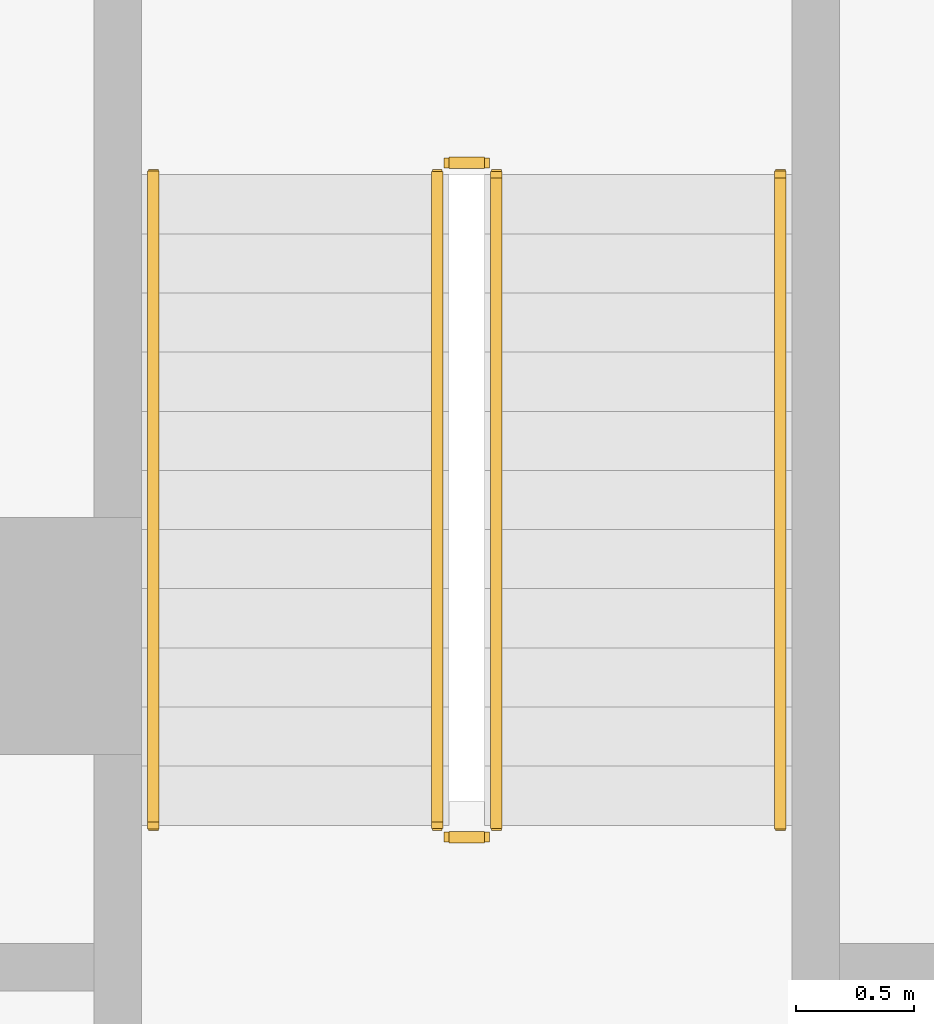
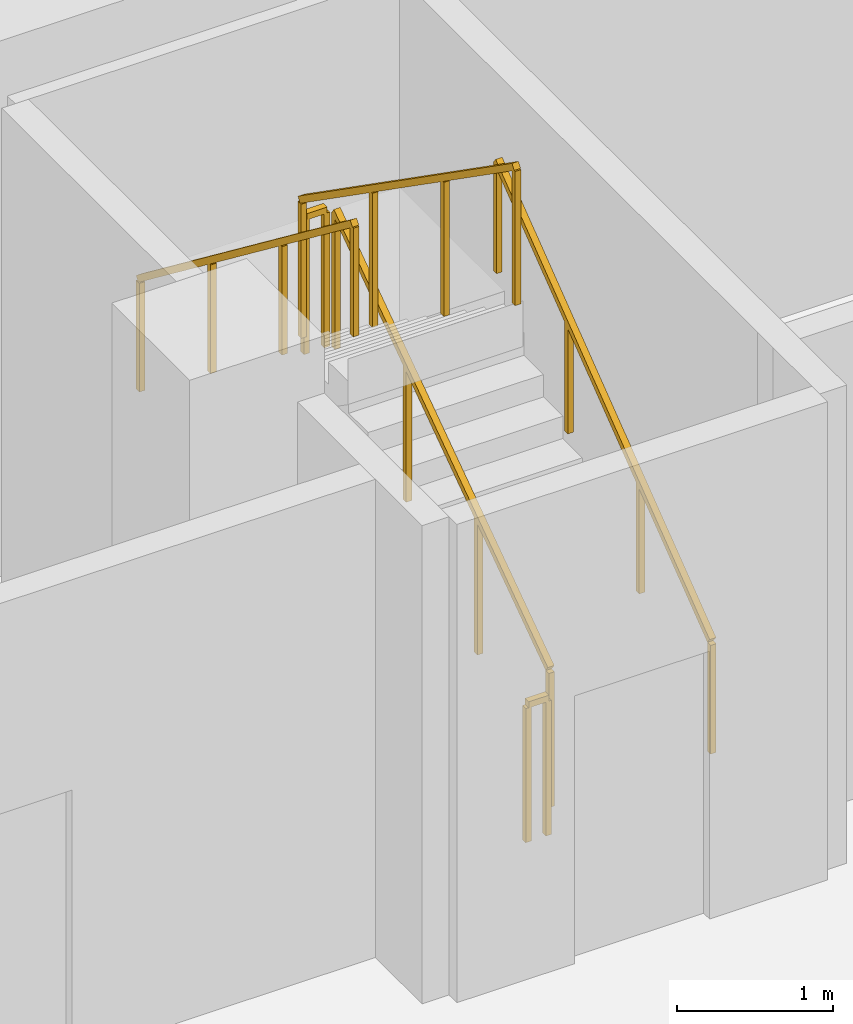
# One storey, part 19 of 20: 6 railings.
"""IFC4 building model written with IfcOpenShell, lengths in metres."""

from ifc_helpers import new_model, si_unit, direction, frame, origin, origin_2d, place, context, subcontext, project, spatial, rectangle, extrude, material, type_object, element, save


model = new_model("IFC4")

# Units and contexts
model_context = context("Model", 3, precision=1e-05, world=origin(), true_north=direction((0.0, 1.0)))
body_context = subcontext(model_context, "Body", "Model", "MODEL_VIEW")
ifc_project = project(units=[si_unit("LENGTHUNIT", "METRE"), si_unit("AREAUNIT", "SQUARE_METRE"), si_unit("VOLUMEUNIT", "CUBIC_METRE"), si_unit("PLANEANGLEUNIT", "RADIAN"), si_unit("MASSUNIT", "GRAM", prefix="KILO")], contexts=[model_context])

# Site, building, storey
site_placement = place(None, origin())
site = spatial("IfcSite", under=ifc_project, at=site_placement, CompositionType="ELEMENT")
building_placement = place(site_placement, origin())
building = spatial("IfcBuilding", under=site, at=building_placement, Name="Beryl Residences", CompositionType="ELEMENT")
storey_placement = place(building_placement, frame((0.0, 0.0, -4.199951171875)))
storey = spatial("IfcBuildingStorey", under=building, at=storey_placement, Name="B1", CompositionType="ELEMENT", Elevation=-4.199951171875)

# Railings
ifc_material_1 = material(Name="Stainless steel balustrade with glass infill", Category="steel")
railing_type_1 = type_object("IfcRailingType", Name="SG1 stair guard 1100 mm", PredefinedType="GUARDRAIL", material=ifc_material_1)
railing_1_placement = place(storey_placement, frame((-8.800048828125, 35.199951171875, 0.175048828125)))
element("IfcRailing", 1, at=railing_1_placement, inside=storey, type_object=railing_type_1, Name="B1 BS-2 stair guard 1", PredefinedType="GUARDRAIL", context=body_context, shape_type="SweptSolid", body=[
    extrude(rectangle(XDim=0.048095703125, YDim=0.048095703125, at=origin_2d()), frame((0.0, 0.0, 1.076171875), z_axis=(0.0, 0.819259255306, 0.573423292687), x_axis=(-1.0, 0.0, 0.0)), (0.0, 0.0, 1.0), 3.356689453125),
    extrude(rectangle(XDim=0.0419921875, YDim=0.0419921875, at=origin_2d()), origin(), (0.0, 0.0, 1.0), 1.052001953125),
    extrude(rectangle(XDim=0.0419921875, YDim=0.0419921875, at=origin_2d()), frame((0.0, 0.916748046875, 0.6416015625)), (0.0, 0.0, 1.0), 1.052001953125),
    extrude(rectangle(XDim=0.0419921875, YDim=0.0419921875, at=origin_2d()), frame((0.0, 1.833251953125, 1.283203125)), (0.0, 0.0, 1.0), 1.052001953125),
    extrude(rectangle(XDim=0.0419921875, YDim=0.0419921875, at=origin_2d()), frame((0.0, 2.75, 1.9248046875)), (0.0, 0.0, 1.0), 1.052001953125),
])
railing_2_placement = place(storey_placement, frame((-8.85009765625, 38.0, 2.099853515625)))
element("IfcRailing", 2, at=railing_2_placement, inside=storey, type_object=railing_type_1, Name="B1 BS-2 stair guard 2", PredefinedType="GUARDRAIL", context=body_context, shape_type="SweptSolid", body=[
    extrude(rectangle(XDim=0.048095703125, YDim=0.048095703125, at=origin_2d()), frame((0.0, 0.0, 1.076171875), z_axis=(-1.0, 0.0, 0.0), x_axis=(0.0, -1.0, 0.0)), (0.0, 0.0, 1.0), 0.14990234375),
    extrude(rectangle(XDim=0.0419921875, YDim=0.0419921875, at=origin_2d()), origin(), (0.0, 0.0, 1.0), 1.052001953125),
    extrude(rectangle(XDim=0.0419921875, YDim=0.0419921875, at=origin_2d()), frame((-0.14990234375, 0.0, 0.0)), (0.0, 0.0, 1.0), 1.052001953125),
])
railing_3_placement = place(storey_placement, frame((-9.050048828125, 37.949951171875, 2.27490234375)))
element("IfcRailing", 3, at=railing_3_placement, inside=storey, type_object=railing_type_1, Name="B1 BS-2 stair guard 3", PredefinedType="GUARDRAIL", context=body_context, shape_type="SweptSolid", body=[
    extrude(rectangle(XDim=0.048095703125, YDim=0.048095703125, at=origin_2d()), frame((0.0, 0.0, 1.076171875), z_axis=(0.0, -0.819225086817, 0.573472106672), x_axis=(1.0, 0.0, 0.0)), (0.0, 0.0, 1.0), 3.35693359375),
    extrude(rectangle(XDim=0.0419921875, YDim=0.0419921875, at=origin_2d()), origin(), (0.0, 0.0, 1.0), 1.052001953125),
    extrude(rectangle(XDim=0.0419921875, YDim=0.0419921875, at=origin_2d()), frame((0.0, -0.916748046875, 0.6416015625)), (0.0, 0.0, 1.0), 1.052001953125),
    extrude(rectangle(XDim=0.0419921875, YDim=0.0419921875, at=origin_2d()), frame((0.0, -1.833251953125, 1.283447265625)), (0.0, 0.0, 1.0), 1.052001953125),
    extrude(rectangle(XDim=0.0419921875, YDim=0.0419921875, at=origin_2d()), frame((0.0, -2.75, 1.925048828125)), (0.0, 0.0, 1.0), 1.052001953125),
])
railing_4_placement = place(storey_placement, frame((-8.85009765625, 35.14990234375, 0.0)))
element("IfcRailing", 4, at=railing_4_placement, inside=storey, type_object=railing_type_1, Name="B1 BS-2 stair guard 4", PredefinedType="GUARDRAIL", context=body_context, shape_type="SweptSolid", body=[
    extrude(rectangle(XDim=0.048095703125, YDim=0.048095703125, at=origin_2d()), frame((0.0, 0.0, 1.076171875), z_axis=(-1.0, 0.0, 0.0), x_axis=(0.0, -1.0, 0.0)), (0.0, 0.0, 1.0), 0.14990234375),
    extrude(rectangle(XDim=0.0419921875, YDim=0.0419921875, at=origin_2d()), origin(), (0.0, 0.0, 1.0), 1.052001953125),
    extrude(rectangle(XDim=0.0419921875, YDim=0.0419921875, at=origin_2d()), frame((-0.14990234375, 0.0, 0.0)), (0.0, 0.0, 1.0), 1.052001953125),
])
ifc_material_2 = material(Name="Stainless steel handrail", Category="steel")
railing_type_2 = type_object("IfcRailingType", Name="SRL1 stair handrail 900 mm", PredefinedType="HANDRAIL", material=ifc_material_2)
railing_5_placement = place(storey_placement, frame((-7.60009765625, 35.199951171875, 0.175048828125)))
element("IfcRailing", 5, at=railing_5_placement, inside=storey, type_object=railing_type_2, Name="B1 BS-2 stair handrail 1", PredefinedType="HANDRAIL", context=body_context, shape_type="SweptSolid", body=[
    extrude(rectangle(XDim=0.048095703125, YDim=0.048095703125, at=origin_2d()), frame((0.0, 0.0, 0.8759765625), z_axis=(0.0, 0.794788234485, 0.606886861222), x_axis=(-1.0, 0.0, 0.0)), (0.0, 0.0, 1.0), 3.4599609375),
    extrude(rectangle(XDim=0.0419921875, YDim=0.0419921875, at=origin_2d()), origin(), (0.0, 0.0, 1.0), 0.851806640625),
    extrude(rectangle(XDim=0.0419921875, YDim=0.0419921875, at=origin_2d()), frame((0.0, 0.916748046875, 0.699951171875)), (0.0, 0.0, 1.0), 0.851806640625),
    extrude(rectangle(XDim=0.0419921875, YDim=0.0419921875, at=origin_2d()), frame((0.0, 1.833251953125, 1.39990234375)), (0.0, 0.0, 1.0), 0.851806640625),
    extrude(rectangle(XDim=0.0419921875, YDim=0.0419921875, at=origin_2d()), frame((0.0, 2.75, 2.099853515625)), (0.0, 0.0, 1.0), 0.851806640625),
])
railing_6_placement = place(storey_placement, frame((-10.25, 37.949951171875, 2.27490234375)))
element("IfcRailing", 6, at=railing_6_placement, inside=storey, type_object=railing_type_2, Name="B1 BS-2 stair handrail 2", PredefinedType="HANDRAIL", context=body_context, shape_type="SweptSolid", body=[
    extrude(rectangle(XDim=0.048095703125, YDim=0.048095703125, at=origin_2d()), frame((0.0, 0.0, 0.8759765625), z_axis=(0.0, -0.794754200304, 0.60693143031), x_axis=(1.0, 0.0, 0.0)), (0.0, 0.0, 1.0), 3.460205078125),
    extrude(rectangle(XDim=0.0419921875, YDim=0.0419921875, at=origin_2d()), origin(), (0.0, 0.0, 1.0), 0.851806640625),
    extrude(rectangle(XDim=0.0419921875, YDim=0.0419921875, at=origin_2d()), frame((0.0, -0.916748046875, 0.699951171875)), (0.0, 0.0, 1.0), 0.851806640625),
    extrude(rectangle(XDim=0.0419921875, YDim=0.0419921875, at=origin_2d()), frame((0.0, -1.833251953125, 1.400146484375)), (0.0, 0.0, 1.0), 0.851806640625),
    extrude(rectangle(XDim=0.0419921875, YDim=0.0419921875, at=origin_2d()), frame((0.0, -2.75, 2.10009765625)), (0.0, 0.0, 1.0), 0.851806640625),
])

save(model, "model.ifc")
